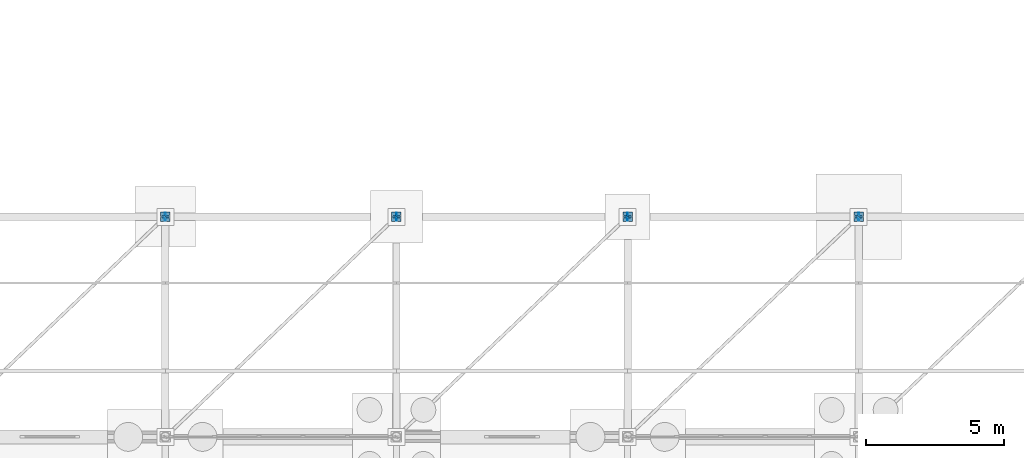
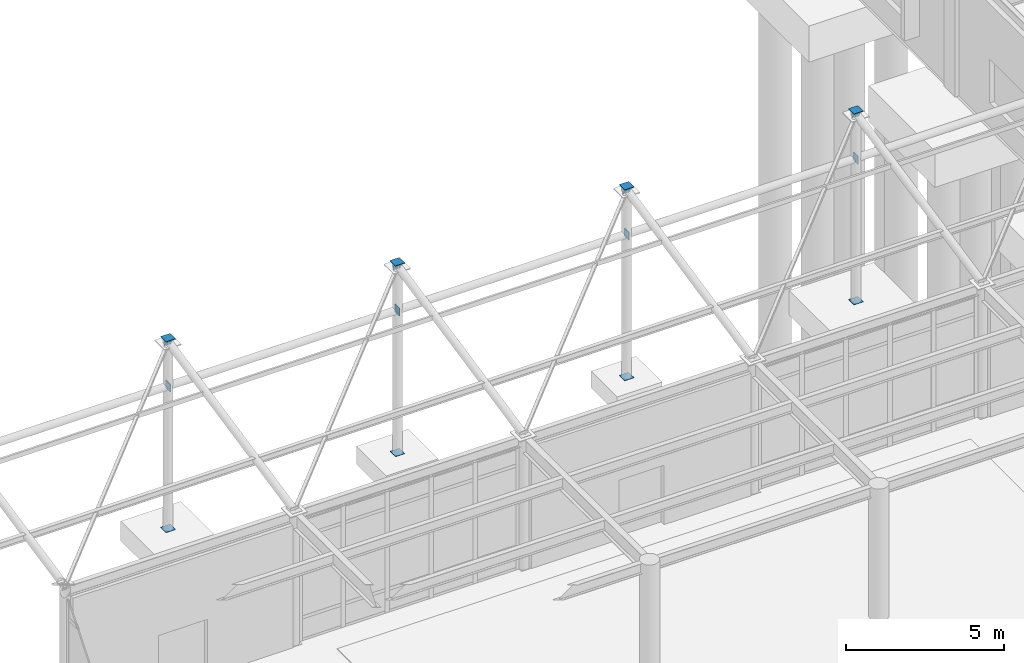
# One storey, part 113 of 138: 24 discrete accessories.
"""IFC4 building model written with IfcOpenShell, lengths in metres."""

from ifc_helpers import new_model, si_unit, direction, frame, origin, origin_2d, place, context, subcontext, project, spatial, rectangle, extrude, material, layer, layer_set, type_object, element, save


model = new_model("IFC4")

# Units and contexts
model_context = context("Model", 3, precision=1e-05, world=origin(), true_north=direction((0.0, 1.0)))
body_context = subcontext(model_context, "Body", "Model", "MODEL_VIEW")
ifc_project = project(units=[si_unit("LENGTHUNIT", "METRE"), si_unit("AREAUNIT", "SQUARE_METRE"), si_unit("VOLUMEUNIT", "CUBIC_METRE"), si_unit("PLANEANGLEUNIT", "RADIAN"), si_unit("MASSUNIT", "GRAM", prefix="KILO")], contexts=[model_context])

# Site, building, storey
site_placement = place(None, origin())
site = spatial("IfcSite", under=ifc_project, at=site_placement, CompositionType="ELEMENT")
building_placement = place(site_placement, origin())
building = spatial("IfcBuilding", under=site, at=building_placement, Name="Kranzveld Transit Interchange", CompositionType="ELEMENT")
storey_placement = place(building_placement, origin())
storey = spatial("IfcBuildingStorey", under=building, at=storey_placement, Name="L00", CompositionType="ELEMENT", Elevation=0.0)

# Discrete accessories
ifc_material = material(Name="Steel S355JR", Category="steel")
ifc_layer = layer(ifc_material, 0.02001953125)
ifc_layer_set = layer_set([ifc_layer], Name="Steel S355JR")
discrete_accessory_type = type_object("IfcDiscreteAccessoryType", Name="Hollow Section End Cap Bracket 20 S355JR", PredefinedType="BRACKET", material=ifc_layer_set)
for number, where, z_axis, x_axis, name in (
    (1, (67.199951171875, 96.0, -0.416015625), (0.0, 0.0, -1.0), (1.0, 0.0, 0.0), "Hollow Section End Cap C-CHS324-1"),
    (2, (67.199951171875, 96.0, 6.950927734375), (0.0, 0.0, 1.0), (1.0, 0.0, 0.0), "Hollow Section End Cap C-CHS324-2"),
    (3, (75.60009765625, 96.0, -0.416015625), (0.0, 0.0, -1.0), (1.0, 0.0, 0.0), "Hollow Section End Cap C-CHS324-1"),
    (4, (75.60009765625, 96.0, 6.950927734375), (0.0, 0.0, 1.0), (1.0, 0.0, 0.0), "Hollow Section End Cap C-CHS324-2"),
    (5, (84.0, 96.0, -0.416015625), (0.0, 0.0, -1.0), (1.0, 0.0, 0.0), "Hollow Section End Cap C-CHS324-1"),
    (6, (84.0, 96.0, 6.950927734375), (0.0, 0.0, 1.0), (1.0, 0.0, 0.0), "Hollow Section End Cap C-CHS324-2"),
    (7, (92.39990234375, 96.0, -0.416015625), (0.0, 0.0, -1.0), (1.0, 0.0, 0.0), "Hollow Section End Cap C-CHS324-1"),
    (8, (92.39990234375, 96.0, 6.950927734375), (0.0, 0.0, 1.0), (1.0, 0.0, 0.0), "Hollow Section End Cap C-CHS324-2"),
):
    element("IfcDiscreteAccessory", number, at=place(storey_placement, frame(where, z_axis=z_axis, x_axis=x_axis)), inside=storey, type_object=discrete_accessory_type, Name=name, PredefinedType="BRACKET", context=body_context, shape_type="SweptSolid", body=[
        extrude(rectangle(XDim=0.347900390625, YDim=0.347900390625, at=origin_2d()), origin(), (0.0, 0.0, 1.0), 0.02001953125),
    ])
discrete_accessory_1_placement = place(storey_placement, frame((67.196044921875, 96.0, 5.10009765625), z_axis=(1.0, 0.0, 0.0), x_axis=(0.0, 1.0, 0.0)))
element("IfcDiscreteAccessory", 9, at=discrete_accessory_1_placement, inside=storey, type_object=discrete_accessory_type, Name="Hollow Section End Cap CH-CHS273-2", PredefinedType="BRACKET", context=body_context, shape_type="SweptSolid", body=[
    extrude(rectangle(XDim=0.297119140625, YDim=0.297119140625, at=origin_2d()), origin(), (0.0, 0.0, 1.0), 0.02001953125),
])
discrete_accessory_2_placement = place(storey_placement, frame((67.197021484375, 95.997314453125, 6.779541015625), z_axis=(0.718764316775, 0.682216978634, 0.134006906517), x_axis=(-0.688426310031, 0.725306290926, 0.0)))
element("IfcDiscreteAccessory", 10, at=discrete_accessory_2_placement, inside=storey, type_object=discrete_accessory_type, Name="Hollow Section End Cap BR-SHS120-2", PredefinedType="BRACKET", context=body_context, shape_type="SweptSolid", body=[
    extrude(rectangle(XDim=0.14404296875, YDim=0.14404296875, at=origin_2d()), origin(), (0.0, 0.0, 1.0), 0.02001953125),
])
for number, where, z_axis, x_axis, name in (
    (11, (67.199951171875, 95.99609375, 6.819091796875), (0.0, 0.978158850918, 0.20785875582), (-1.0, 0.0, 0.0), "Hollow Section End Cap ST-CHS273-2"),
    (12, (67.2041015625, 96.0, 5.10009765625), (-1.0, 0.0, 0.0), (0.0, -1.0, 0.0), "Hollow Section End Cap CH-CHS273-1"),
    (13, (75.595947265625, 96.0, 5.10009765625), (1.0, 0.0, 0.0), (0.0, 1.0, 0.0), "Hollow Section End Cap CH-CHS273-2"),
):
    element("IfcDiscreteAccessory", number, at=place(storey_placement, frame(where, z_axis=z_axis, x_axis=x_axis)), inside=storey, type_object=discrete_accessory_type, Name=name, PredefinedType="BRACKET", context=body_context, shape_type="SweptSolid", body=[
        extrude(rectangle(XDim=0.297119140625, YDim=0.297119140625, at=origin_2d()), origin(), (0.0, 0.0, 1.0), 0.02001953125),
    ])
discrete_accessory_3_placement = place(storey_placement, frame((75.59716796875, 95.997314453125, 6.779541015625), z_axis=(0.718764316775, 0.682216978634, 0.134006906517), x_axis=(-0.688426310031, 0.725306290926, 0.0)))
element("IfcDiscreteAccessory", 14, at=discrete_accessory_3_placement, inside=storey, type_object=discrete_accessory_type, Name="Hollow Section End Cap BR-SHS120-2", PredefinedType="BRACKET", context=body_context, shape_type="SweptSolid", body=[
    extrude(rectangle(XDim=0.14404296875, YDim=0.14404296875, at=origin_2d()), origin(), (0.0, 0.0, 1.0), 0.02001953125),
])
for number, where, z_axis, x_axis, name in (
    (15, (75.60009765625, 95.99609375, 6.819091796875), (0.0, 0.978158850918, 0.20785875582), (-1.0, 0.0, 0.0), "Hollow Section End Cap ST-CHS273-2"),
    (16, (75.60400390625, 96.0, 5.10009765625), (-1.0, 0.0, 0.0), (0.0, -1.0, 0.0), "Hollow Section End Cap CH-CHS273-1"),
    (17, (83.99609375, 96.0, 5.10009765625), (1.0, 0.0, 0.0), (0.0, 1.0, 0.0), "Hollow Section End Cap CH-CHS273-2"),
):
    element("IfcDiscreteAccessory", number, at=place(storey_placement, frame(where, z_axis=z_axis, x_axis=x_axis)), inside=storey, type_object=discrete_accessory_type, Name=name, PredefinedType="BRACKET", context=body_context, shape_type="SweptSolid", body=[
        extrude(rectangle(XDim=0.297119140625, YDim=0.297119140625, at=origin_2d()), origin(), (0.0, 0.0, 1.0), 0.02001953125),
    ])
discrete_accessory_4_placement = place(storey_placement, frame((83.9970703125, 95.997314453125, 6.779541015625), z_axis=(0.718764316775, 0.682216978634, 0.134006906517), x_axis=(-0.688426310031, 0.725306290926, 0.0)))
element("IfcDiscreteAccessory", 18, at=discrete_accessory_4_placement, inside=storey, type_object=discrete_accessory_type, Name="Hollow Section End Cap BR-SHS120-2", PredefinedType="BRACKET", context=body_context, shape_type="SweptSolid", body=[
    extrude(rectangle(XDim=0.14404296875, YDim=0.14404296875, at=origin_2d()), origin(), (0.0, 0.0, 1.0), 0.02001953125),
])
for number, where, z_axis, x_axis, name in (
    (19, (84.0, 95.99609375, 6.819091796875), (0.0, 0.978158850918, 0.20785875582), (-1.0, 0.0, 0.0), "Hollow Section End Cap ST-CHS273-2"),
    (20, (84.00390625, 96.0, 5.10009765625), (-1.0, 0.0, 0.0), (0.0, -1.0, 0.0), "Hollow Section End Cap CH-CHS273-1"),
    (21, (92.39599609375, 96.0, 5.10009765625), (1.0, 0.0, 0.0), (0.0, 1.0, 0.0), "Hollow Section End Cap CH-CHS273-2"),
):
    element("IfcDiscreteAccessory", number, at=place(storey_placement, frame(where, z_axis=z_axis, x_axis=x_axis)), inside=storey, type_object=discrete_accessory_type, Name=name, PredefinedType="BRACKET", context=body_context, shape_type="SweptSolid", body=[
        extrude(rectangle(XDim=0.297119140625, YDim=0.297119140625, at=origin_2d()), origin(), (0.0, 0.0, 1.0), 0.02001953125),
    ])
discrete_accessory_5_placement = place(storey_placement, frame((92.397216796875, 95.997314453125, 6.779541015625), z_axis=(0.712797552185, 0.688218326247, 0.135185742656), x_axis=(-0.6945945137, 0.719401460617, 0.0)))
element("IfcDiscreteAccessory", 22, at=discrete_accessory_5_placement, inside=storey, type_object=discrete_accessory_type, Name="Hollow Section End Cap BR-SHS120-2", PredefinedType="BRACKET", context=body_context, shape_type="SweptSolid", body=[
    extrude(rectangle(XDim=0.14404296875, YDim=0.14404296875, at=origin_2d()), origin(), (0.0, 0.0, 1.0), 0.019775390625),
])
for number, where, z_axis, x_axis, name in (
    (23, (92.39990234375, 95.99609375, 6.819091796875), (0.0, 0.978158850918, 0.20785875582), (-1.0, 0.0, 0.0), "Hollow Section End Cap ST-CHS273-2"),
    (24, (92.404052734375, 96.0, 5.10009765625), (-1.0, 0.0, 0.0), (0.0, -1.0, 0.0), "Hollow Section End Cap CH-CHS273-1"),
):
    element("IfcDiscreteAccessory", number, at=place(storey_placement, frame(where, z_axis=z_axis, x_axis=x_axis)), inside=storey, type_object=discrete_accessory_type, Name=name, PredefinedType="BRACKET", context=body_context, shape_type="SweptSolid", body=[
        extrude(rectangle(XDim=0.297119140625, YDim=0.297119140625, at=origin_2d()), origin(), (0.0, 0.0, 1.0), 0.02001953125),
    ])

save(model, "model.ifc")
